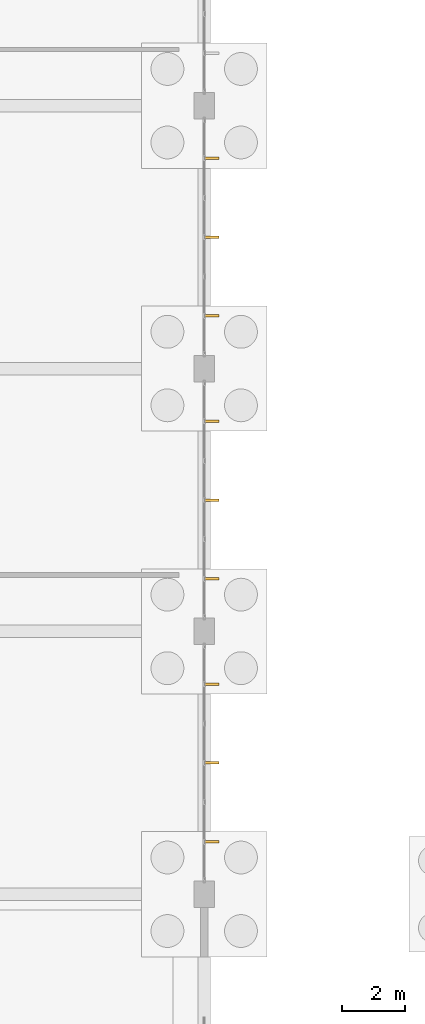
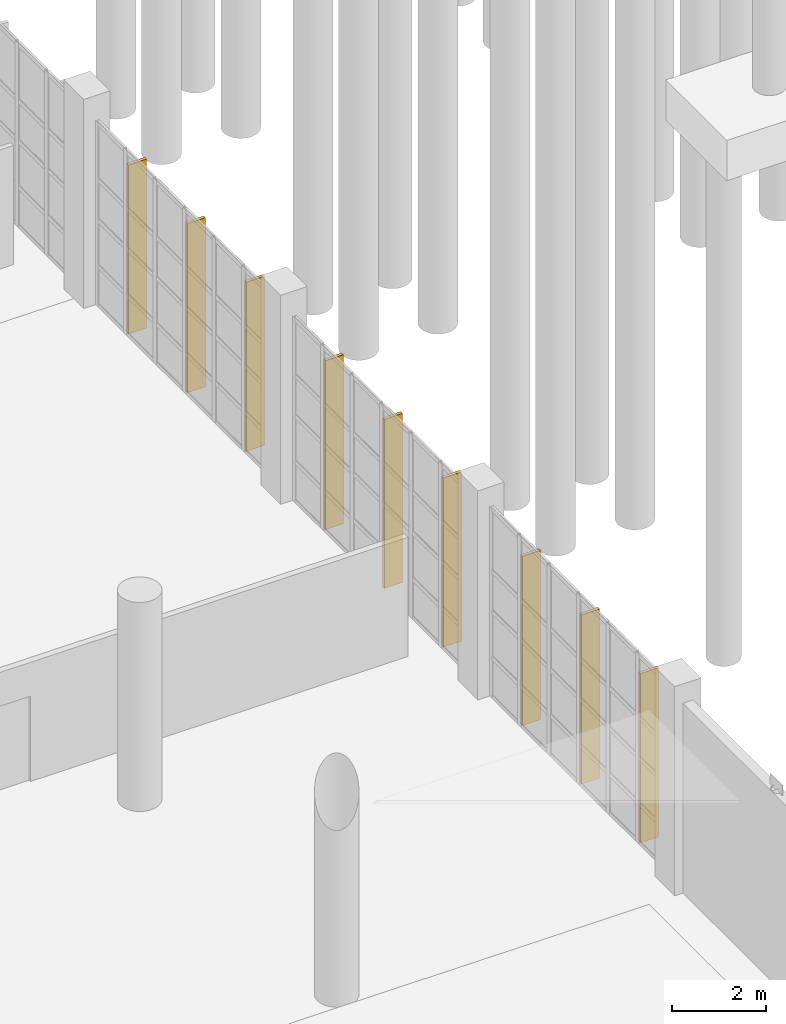
# One storey, part 67 of 83: 9 shading devices.
"""IFC4 building model written with IfcOpenShell, lengths in metres."""

from ifc_helpers import new_model, si_unit, direction, frame, origin, origin_2d, place, context, subcontext, project, spatial, rectangle, extrude, material, type_object, element, save


model = new_model("IFC4")

# Units and contexts
model_context = context("Model", 3, precision=1e-05, world=origin(), true_north=direction((0.0, 1.0)))
body_context = subcontext(model_context, "Body", "Model", "MODEL_VIEW")
ifc_project = project(units=[si_unit("LENGTHUNIT", "METRE"), si_unit("AREAUNIT", "SQUARE_METRE"), si_unit("VOLUMEUNIT", "CUBIC_METRE"), si_unit("PLANEANGLEUNIT", "RADIAN"), si_unit("MASSUNIT", "GRAM", prefix="KILO"), si_unit("THERMODYNAMICTEMPERATUREUNIT", "KELVIN"), si_unit("POWERUNIT", "WATT")], contexts=[model_context])

# Site, building, storey
site_placement = place(None, origin())
site = spatial("IfcSite", under=ifc_project, at=site_placement, CompositionType="ELEMENT")
building_placement = place(site_placement, origin())
building = spatial("IfcBuilding", under=site, at=building_placement, Name="Mavoryth Pier Ferry Terminal", CompositionType="ELEMENT")
storey_placement = place(building_placement, origin())
storey = spatial("IfcBuildingStorey", under=building, at=storey_placement, Name="L00", CompositionType="ELEMENT", Elevation=0.0)

# Shading devices
ifc_material = material(Name="Anodised Aluminium Solar-Shading Fin", Category="aluminium")
shading_device_type = type_object("IfcShadingDeviceType", Name="Fin-BriseSoleil-450x80x4400", PredefinedType="SHUTTER", material=ifc_material)
for number, where, z_axis, x_axis, name in (
    (1, (33.84912109375, 40.4833984375, 0.0), (0.0, 0.0, 1.0), (0.0, 1.0, 0.0), "Solar Shading Fin 10"),
    (2, (33.84912109375, 43.0, 0.0), (0.0, 0.0, 1.0), (0.0, 1.0, 0.0), "Solar Shading Fin 11"),
    (3, (33.84912109375, 45.5166015625, 0.0), (0.0, 0.0, 1.0), (0.0, 1.0, 0.0), "Solar Shading Fin 12"),
    (4, (33.84912109375, 48.88330078125, 0.0), (0.0, 0.0, 1.0), (0.0, 1.0, 0.0), "Solar Shading Fin 16"),
    (5, (33.84912109375, 51.39990234375, 0.0), (0.0, 0.0, 1.0), (0.0, 1.0, 0.0), "Solar Shading Fin 17"),
    (6, (33.84912109375, 53.916748046875, 0.0), (0.0, 0.0, 1.0), (0.0, 1.0, 0.0), "Solar Shading Fin 18"),
    (7, (33.84912109375, 57.283203125, 0.0), (0.0, 0.0, 1.0), (0.0, 1.0, 0.0), "Solar Shading Fin 28"),
    (8, (33.84912109375, 59.800048828125, 0.0), (0.0, 0.0, 1.0), (0.0, 1.0, 0.0), "Solar Shading Fin 29"),
    (9, (33.84912109375, 62.316650390625, 0.0), (0.0, 0.0, 1.0), (0.0, 1.0, 0.0), "Solar Shading Fin 30"),
):
    element("IfcShadingDevice", number, at=place(storey_placement, frame(where, z_axis=z_axis, x_axis=x_axis)), inside=storey, type_object=shading_device_type, Name=name, PredefinedType="SHUTTER", context=body_context, shape_type="SweptSolid", body=[
        extrude(rectangle(XDim=0.080078125, YDim=0.449951171875, at=origin_2d()), origin(), (0.0, 0.0, 1.0), 4.39990234375),
    ])

save(model, "model.ifc")
